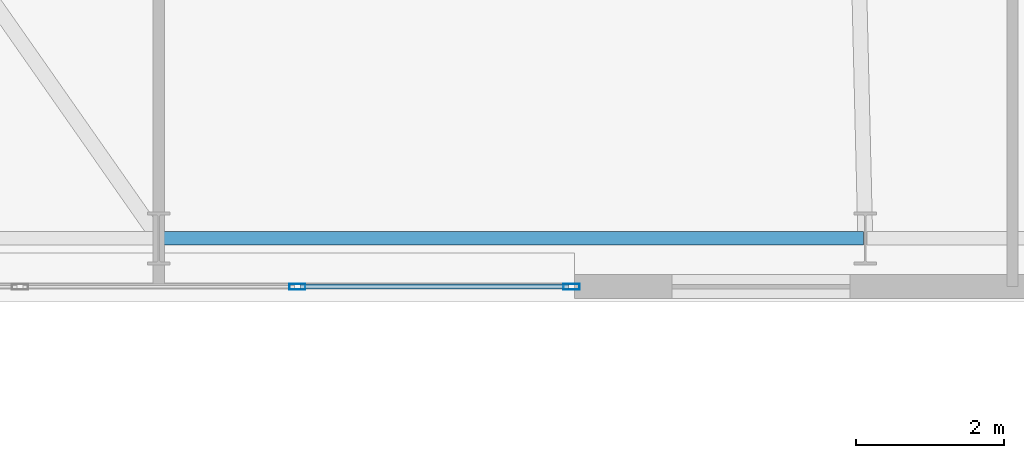
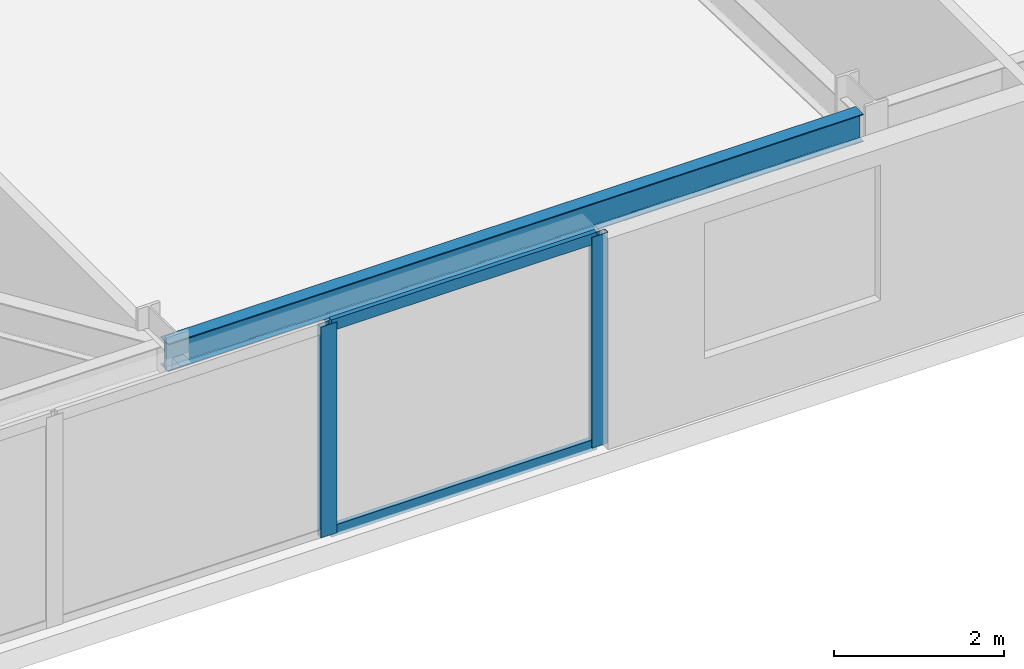
# One storey, part 8 of 24: 4 members, 1 beam, 1 element without a shape of its own.
"""IFC4 building model written with IfcOpenShell, lengths in metres."""

from ifc_helpers import new_model, si_unit, direction, frame, origin, origin_2d, place, context, subcontext, project, spatial, hollow_rectangle, i_section, extrude, material, layer, layer_set, material_profile, profile_set, type_object, element, aggregate, save


model = new_model("IFC4")

# Units and contexts
model_context = context("Model", 3, precision=1e-05, world=origin(), true_north=direction((0.0, 1.0)))
body_context = subcontext(model_context, "Body", "Model", "MODEL_VIEW")
ifc_project = project(units=[si_unit("LENGTHUNIT", "METRE"), si_unit("AREAUNIT", "SQUARE_METRE"), si_unit("VOLUMEUNIT", "CUBIC_METRE"), si_unit("PLANEANGLEUNIT", "RADIAN"), si_unit("MASSUNIT", "GRAM", prefix="KILO")], contexts=[model_context])

# Site, building, storey
site_placement = place(None, origin())
site = spatial("IfcSite", under=ifc_project, at=site_placement, CompositionType="ELEMENT")
building_placement = place(site_placement, origin())
building = spatial("IfcBuilding", under=site, at=building_placement, Name="Qobustan Lattice House", CompositionType="ELEMENT")
storey_placement = place(building_placement, frame((0.0, 0.0, 43.75)))
storey = spatial("IfcBuildingStorey", under=building, at=storey_placement, Name="L11", CompositionType="ELEMENT", Elevation=43.75)

# Beam
ifc_material_1 = material(Name="Steel S355", Category="steel")
ifc_material_profile_1 = material_profile(ifc_material_1, i_section(OverallWidth=0.179931640625, OverallDepth=0.39990234375, WebThickness=0.008544921875, FlangeThickness=0.013427734375, FilletRadius=0.02099609375, at=origin_2d()), Name="IPE400")
ifc_profile_set_1 = profile_set([ifc_material_profile_1], Name="Steel S355")
beam_type = type_object("IfcBeamType", Name="BM-SPD-IPE400", PredefinedType="SPANDREL", material=ifc_profile_set_1)
beam_placement = place(storey_placement, frame((0.02490234375, -18.75, 2.8349609375), z_axis=(1.0, 0.0, 0.0), x_axis=(0.0, 1.0, 0.0)))
element("IfcBeam", 1, at=beam_placement, inside=storey, type_object=beam_type, Name="L11 perimeter spandrel S4-S5", PredefinedType="SPANDREL", context=body_context, shape_type="SweptSolid", body=[
    extrude(i_section(OverallWidth=0.179931640625, OverallDepth=0.39990234375, WebThickness=0.008544921875, FlangeThickness=0.013427734375, FilletRadius=0.02099609375, at=origin_2d()), origin(), (0.0, 0.0, 1.0), 9.466796875),
])

# Curtain wall, members
ifc_material_2 = material(Name="Anodised aluminium and low-E glazing", Category="aluminium")
ifc_layer = layer(ifc_material_2, 0.219970703125)
ifc_layer_set = layer_set([ifc_layer], Name="Anodised aluminium and low-E glazing")
curtain_wall_type = type_object("IfcCurtainWallType", Name="CW-IWN-01", PredefinedType="USERDEFINED", material=ifc_layer_set)
curtain_wall_placement = place(storey_placement, origin())
curtain_wall = element("IfcCurtainWall", 2, at=curtain_wall_placement, inside=storey, type_object=curtain_wall_type, Name="L11 IWAN-1 walnut-lined iwan curtain wall", ObjectType="CURTAIN WALL", PredefinedType="USERDEFINED")
ifc_material_3 = material(Name="Anodised aluminium EN AW-6063 T6", Category="aluminium")
ifc_material_profile_2 = material_profile(ifc_material_3, hollow_rectangle(XDim=0.080078125, YDim=0.219970703125, WallThickness=0.0048828125, at=origin_2d()), Name="CWM-220x80")
ifc_profile_set_2 = profile_set([ifc_material_profile_2], Name="Anodised aluminium EN AW-6063 T6")
member_type_1 = type_object("IfcMemberType", Name="CWM-MAIN-220", PredefinedType="MULLION", material=ifc_profile_set_2)
member_1_placement = place(storey_placement, frame((5.56005859375, -19.39990234375, 0.0), z_axis=(0.0, 0.0, 1.0), x_axis=(0.0, -1.0, 0.0)))
member_1 = element("IfcMember", 3, at=member_1_placement, type_object=member_type_1, Name="CW-IW mullion 1", PredefinedType="MULLION", context=body_context, shape_type="SweptSolid", body=[
    extrude(hollow_rectangle(XDim=0.080078125, YDim=0.219970703125, WallThickness=0.0048828125, at=origin_2d()), origin(), (0.0, 0.0, 1.0), 3.034912109375),
])
member_2_placement = place(storey_placement, frame((1.86669921875, -19.39990234375, 0.0), z_axis=(0.0, 0.0, 1.0), x_axis=(0.0, -1.0, 0.0)))
member_2 = element("IfcMember", 4, at=member_2_placement, type_object=member_type_1, Name="CW-IW mullion 2", PredefinedType="MULLION", context=body_context, shape_type="SweptSolid", body=[
    extrude(hollow_rectangle(XDim=0.080078125, YDim=0.219970703125, WallThickness=0.0048828125, at=origin_2d()), origin(), (0.0, 0.0, 1.0), 3.034912109375),
])
ifc_material_4 = material(Name="Anodised aluminium EN AW-6063 T6", Category="aluminium")
ifc_material_profile_3 = material_profile(ifc_material_4, hollow_rectangle(XDim=0.06494140625, YDim=0.159912109375, WallThickness=0.00390625, at=origin_2d()), Name="CWT-160x65")
ifc_profile_set_3 = profile_set([ifc_material_profile_3], Name="Anodised aluminium EN AW-6063 T6")
member_type_2 = type_object("IfcMemberType", Name="CWT-HOR-160", PredefinedType="USERDEFINED", material=ifc_profile_set_3)
member_3_placement = place(storey_placement, frame((5.52001953125, -19.39990234375, 0.032470703125), z_axis=(-1.0, 0.0, 0.0), x_axis=(0.0, -1.0, 0.0)))
member_3 = element("IfcMember", 5, at=member_3_placement, type_object=member_type_2, Name="CW-IW transom 1.1", ObjectType="TRANSOM", PredefinedType="USERDEFINED", context=body_context, shape_type="SweptSolid", body=[
    extrude(hollow_rectangle(XDim=0.06494140625, YDim=0.159912109375, WallThickness=0.00390625, at=origin_2d()), origin(), (0.0, 0.0, 1.0), 3.61328125),
])
member_4_placement = place(storey_placement, frame((5.52001953125, -19.39990234375, 3.00244140625), z_axis=(-1.0, 0.0, 0.0), x_axis=(0.0, -1.0, 0.0)))
member_4 = element("IfcMember", 6, at=member_4_placement, type_object=member_type_2, Name="CW-IW transom 1.2", ObjectType="TRANSOM", PredefinedType="USERDEFINED", context=body_context, shape_type="SweptSolid", body=[
    extrude(hollow_rectangle(XDim=0.06494140625, YDim=0.159912109375, WallThickness=0.00390625, at=origin_2d()), origin(), (0.0, 0.0, 1.0), 3.61328125),
])
aggregate(curtain_wall, [member_1, member_2, member_3, member_4])

save(model, "model.ifc")
